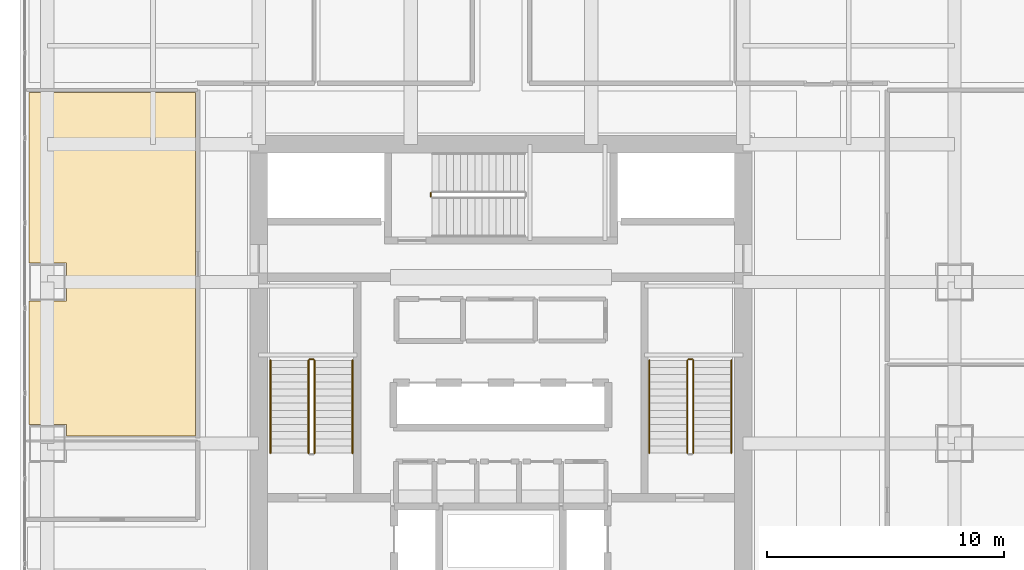
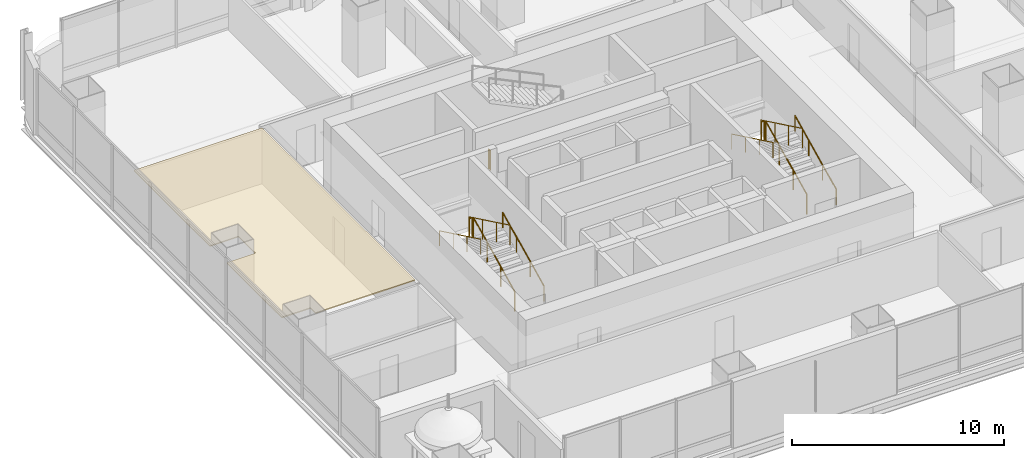
# One storey, part 32 of 37: 11 railings, 1 covering.
"""IFC4 building model written with IfcOpenShell, lengths in metres."""

from ifc_helpers import new_model, si_unit, direction, frame, origin, origin_2d, place, context, subcontext, project, spatial, polyline, circle, outline, extrude, material, layer, layer_set, type_object, element, save


model = new_model("IFC4")

# Units and contexts
model_context = context("Model", 3, precision=1e-05, world=origin(), true_north=direction((0.0, 1.0)))
body_context = subcontext(model_context, "Body", "Model", "MODEL_VIEW")
ifc_project = project(units=[si_unit("LENGTHUNIT", "METRE"), si_unit("AREAUNIT", "SQUARE_METRE"), si_unit("VOLUMEUNIT", "CUBIC_METRE"), si_unit("PLANEANGLEUNIT", "RADIAN"), si_unit("MASSUNIT", "GRAM", prefix="KILO")], contexts=[model_context])

# Site, building, storey
site_placement = place(None, origin())
site = spatial("IfcSite", under=ifc_project, at=site_placement, CompositionType="ELEMENT")
building_placement = place(site_placement, origin())
building = spatial("IfcBuilding", under=site, at=building_placement, Name="Punatoya Terracotta Tower", CompositionType="ELEMENT")
storey_placement = place(building_placement, frame((0.0, 0.0, 109.199951171875)))
storey = spatial("IfcBuildingStorey", under=building, at=storey_placement, Name="L25", CompositionType="ELEMENT", Elevation=109.199951171875)

# Covering
ifc_material_1 = material(Name="Acoustic Mineral Fibre Ceiling")
ifc_layer = layer(ifc_material_1, 0.06005859375)
ifc_layer_set = layer_set([ifc_layer], Name="Acoustic Mineral Fibre Ceiling")
covering_type = type_object("IfcCoveringType", Name="COV-CEIL-60", PredefinedType="CEILING", material=ifc_layer_set)
covering_placement = place(storey_placement, frame((0.0, 0.0, 3.199951171875)))
element("IfcCovering", 1, at=covering_placement, inside=storey, type_object=covering_type, Name="L25 Open-Plan Digital Reference Library Acoustic Ceiling", PredefinedType="CEILING", context=body_context, shape_type="SweptSolid", body=[
    extrude(outline(polyline([(-18.300048828125, 4.199951171875), (-18.300048828125, 2.60009765625), (-19.8701171875, 2.60009765625), (-19.8701171875, -2.60009765625), (-18.300048828125, -2.60009765625), (-18.300048828125, -3.073974609375), (-12.8701171875, -3.073974609375), (-12.8701171875, 11.389892578125), (-19.8701171875, 11.389892578125), (-19.8701171875, 4.199951171875), (-18.300048828125, 4.199951171875)])), origin(), (0.0, 0.0, 1.0), 0.06005859375),
])

# Railings
ifc_material_2 = material(Name="Steel S355", Category="steel")
railing_type_1 = type_object("IfcRailingType", Name="RLG-GRD-1150", PredefinedType="GUARDRAIL", material=ifc_material_2)
railing_1_placement = place(storey_placement, frame((-7.85009765625, -3.800048828125, 0.144775390625)))
element("IfcRailing", 2, at=railing_1_placement, inside=storey, type_object=railing_type_1, Name="L25 ST-1 stair guard 1", PredefinedType="GUARDRAIL", context=body_context, shape_type="SweptSolid", body=[
    extrude(circle(Radius=0.02392578125, at=origin_2d()), frame((0.0, 0.0, 1.1259765625), z_axis=(0.0, 0.900773802044, 0.434288564841), x_axis=(-1.0, 0.0, 0.0)), (0.0, 0.0, 1.0), 4.329833984375),
    extrude(circle(Radius=0.02099609375, at=origin_2d()), origin(), (0.0, 0.0, 1.0), 1.101806640625),
    extrude(circle(Radius=0.02099609375, at=origin_2d()), frame((0.0, 1.300048828125, 0.626708984375)), (0.0, 0.0, 1.0), 1.101806640625),
    extrude(circle(Radius=0.02099609375, at=origin_2d()), frame((0.0, 2.60009765625, 1.253662109375)), (0.0, 0.0, 1.0), 1.101806640625),
    extrude(circle(Radius=0.02099609375, at=origin_2d()), frame((0.0, 3.900146484375, 1.88037109375)), (0.0, 0.0, 1.0), 1.101806640625),
])
railing_2_placement = place(storey_placement, frame((-7.89990234375, 0.14990234375, 2.025146484375)))
element("IfcRailing", 3, at=railing_2_placement, inside=storey, type_object=railing_type_1, Name="L25 ST-1 stair guard 2", PredefinedType="GUARDRAIL", context=body_context, shape_type="SweptSolid", body=[
    extrude(circle(Radius=0.02392578125, at=origin_2d()), frame((0.0, 0.0, 1.1259765625), z_axis=(-1.0, 0.0, 0.0), x_axis=(0.0, -1.0, 0.0)), (0.0, 0.0, 1.0), 0.150146484375),
    extrude(circle(Radius=0.02099609375, at=origin_2d()), origin(), (0.0, 0.0, 1.0), 1.101806640625),
    extrude(circle(Radius=0.02099609375, at=origin_2d()), frame((-0.150146484375, 0.0, 0.0)), (0.0, 0.0, 1.0), 1.101806640625),
])
railing_3_placement = place(storey_placement, frame((-8.10009765625, 0.10009765625, 2.169677734375)))
element("IfcRailing", 4, at=railing_3_placement, inside=storey, type_object=railing_type_1, Name="L25 ST-1 stair guard 3", PredefinedType="GUARDRAIL", context=body_context, shape_type="SweptSolid", body=[
    extrude(circle(Radius=0.02392578125, at=origin_2d()), frame((0.0, 0.0, 1.1259765625), z_axis=(0.0, -0.900773802044, 0.434288564841), x_axis=(1.0, 0.0, 0.0)), (0.0, 0.0, 1.0), 4.329833984375),
    extrude(circle(Radius=0.02099609375, at=origin_2d()), origin(), (0.0, 0.0, 1.0), 1.101806640625),
    extrude(circle(Radius=0.02099609375, at=origin_2d()), frame((0.0, -1.300048828125, 0.626708984375)), (0.0, 0.0, 1.0), 1.101806640625),
    extrude(circle(Radius=0.02099609375, at=origin_2d()), frame((0.0, -2.60009765625, 1.253662109375)), (0.0, 0.0, 1.0), 1.101806640625),
    extrude(circle(Radius=0.02099609375, at=origin_2d()), frame((0.0, -3.900146484375, 1.88037109375)), (0.0, 0.0, 1.0), 1.101806640625),
])
railing_4_placement = place(storey_placement, frame((8.10009765625, -3.800048828125, 0.144775390625)))
element("IfcRailing", 5, at=railing_4_placement, inside=storey, type_object=railing_type_1, Name="L25 ST-2 stair guard 1", PredefinedType="GUARDRAIL", context=body_context, shape_type="SweptSolid", body=[
    extrude(circle(Radius=0.02392578125, at=origin_2d()), frame((0.0, 0.0, 1.1259765625), z_axis=(0.0, 0.900773802044, 0.434288564841), x_axis=(-1.0, 0.0, 0.0)), (0.0, 0.0, 1.0), 4.329833984375),
    extrude(circle(Radius=0.02099609375, at=origin_2d()), origin(), (0.0, 0.0, 1.0), 1.101806640625),
    extrude(circle(Radius=0.02099609375, at=origin_2d()), frame((0.0, 1.300048828125, 0.626708984375)), (0.0, 0.0, 1.0), 1.101806640625),
    extrude(circle(Radius=0.02099609375, at=origin_2d()), frame((0.0, 2.60009765625, 1.253662109375)), (0.0, 0.0, 1.0), 1.101806640625),
    extrude(circle(Radius=0.02099609375, at=origin_2d()), frame((0.0, 3.900146484375, 1.88037109375)), (0.0, 0.0, 1.0), 1.101806640625),
])
railing_5_placement = place(storey_placement, frame((8.050048828125, 0.14990234375, 2.025146484375)))
element("IfcRailing", 6, at=railing_5_placement, inside=storey, type_object=railing_type_1, Name="L25 ST-2 stair guard 2", PredefinedType="GUARDRAIL", context=body_context, shape_type="SweptSolid", body=[
    extrude(circle(Radius=0.02392578125, at=origin_2d()), frame((0.0, 0.0, 1.1259765625), z_axis=(-1.0, 0.0, 0.0), x_axis=(0.0, -1.0, 0.0)), (0.0, 0.0, 1.0), 0.150146484375),
    extrude(circle(Radius=0.02099609375, at=origin_2d()), origin(), (0.0, 0.0, 1.0), 1.101806640625),
    extrude(circle(Radius=0.02099609375, at=origin_2d()), frame((-0.150146484375, 0.0, 0.0)), (0.0, 0.0, 1.0), 1.101806640625),
])
railing_6_placement = place(storey_placement, frame((7.85009765625, 0.10009765625, 2.169677734375)))
element("IfcRailing", 7, at=railing_6_placement, inside=storey, type_object=railing_type_1, Name="L25 ST-2 stair guard 3", PredefinedType="GUARDRAIL", context=body_context, shape_type="SweptSolid", body=[
    extrude(circle(Radius=0.02392578125, at=origin_2d()), frame((0.0, 0.0, 1.1259765625), z_axis=(0.0, -0.900773802044, 0.434288564841), x_axis=(1.0, 0.0, 0.0)), (0.0, 0.0, 1.0), 4.329833984375),
    extrude(circle(Radius=0.02099609375, at=origin_2d()), origin(), (0.0, 0.0, 1.0), 1.101806640625),
    extrude(circle(Radius=0.02099609375, at=origin_2d()), frame((0.0, -1.300048828125, 0.626708984375)), (0.0, 0.0, 1.0), 1.101806640625),
    extrude(circle(Radius=0.02099609375, at=origin_2d()), frame((0.0, -2.60009765625, 1.253662109375)), (0.0, 0.0, 1.0), 1.101806640625),
    extrude(circle(Radius=0.02099609375, at=origin_2d()), frame((0.0, -3.900146484375, 1.88037109375)), (0.0, 0.0, 1.0), 1.101806640625),
])
railing_7_placement = place(storey_placement, frame((-2.949951171875, 7.0, 0.0)))
element("IfcRailing", 8, at=railing_7_placement, inside=storey, type_object=railing_type_1, Name="L25 ST-3 stair guard 4", PredefinedType="GUARDRAIL", context=body_context, shape_type="SweptSolid", body=[
    extrude(circle(Radius=0.02392578125, at=origin_2d()), frame((0.0, 0.0, 1.1259765625), z_axis=(0.0, 1.0, 0.0), x_axis=(-1.0, 0.0, 0.0)), (0.0, 0.0, 1.0), 0.14990234375),
    extrude(circle(Radius=0.02099609375, at=origin_2d()), origin(), (0.0, 0.0, 1.0), 1.101806640625),
    extrude(circle(Radius=0.02099609375, at=origin_2d()), frame((0.0, 0.14990234375, 0.0)), (0.0, 0.0, 1.0), 1.101806640625),
])
railing_type_2 = type_object("IfcRailingType", Name="RLG-HND-900", PredefinedType="HANDRAIL", material=ifc_material_2)
railing_8_placement = place(storey_placement, frame((-6.25, -3.800048828125, 0.144775390625)))
element("IfcRailing", 9, at=railing_8_placement, inside=storey, type_object=railing_type_2, Name="L25 ST-1 stair handrail 1", PredefinedType="HANDRAIL", context=body_context, shape_type="SweptSolid", body=[
    extrude(circle(Radius=0.02392578125, at=origin_2d()), frame((0.0, 0.0, 0.8759765625), z_axis=(0.0, 0.900773802044, 0.434288564841), x_axis=(-1.0, 0.0, 0.0)), (0.0, 0.0, 1.0), 4.329833984375),
    extrude(circle(Radius=0.02099609375, at=origin_2d()), origin(), (0.0, 0.0, 1.0), 0.851806640625),
    extrude(circle(Radius=0.02099609375, at=origin_2d()), frame((0.0, 1.300048828125, 0.626708984375)), (0.0, 0.0, 1.0), 0.851806640625),
    extrude(circle(Radius=0.02099609375, at=origin_2d()), frame((0.0, 2.60009765625, 1.253662109375)), (0.0, 0.0, 1.0), 0.851806640625),
    extrude(circle(Radius=0.02099609375, at=origin_2d()), frame((0.0, 3.900146484375, 1.88037109375)), (0.0, 0.0, 1.0), 0.851806640625),
])
railing_9_placement = place(storey_placement, frame((-9.699951171875, 0.10009765625, 2.169677734375)))
element("IfcRailing", 10, at=railing_9_placement, inside=storey, type_object=railing_type_2, Name="L25 ST-1 stair handrail 2", PredefinedType="HANDRAIL", context=body_context, shape_type="SweptSolid", body=[
    extrude(circle(Radius=0.02392578125, at=origin_2d()), frame((0.0, 0.0, 0.8759765625), z_axis=(0.0, -0.900773802044, 0.434288564841), x_axis=(1.0, 0.0, 0.0)), (0.0, 0.0, 1.0), 4.329833984375),
    extrude(circle(Radius=0.02099609375, at=origin_2d()), origin(), (0.0, 0.0, 1.0), 0.851806640625),
    extrude(circle(Radius=0.02099609375, at=origin_2d()), frame((0.0, -1.300048828125, 0.626708984375)), (0.0, 0.0, 1.0), 0.851806640625),
    extrude(circle(Radius=0.02099609375, at=origin_2d()), frame((0.0, -2.60009765625, 1.253662109375)), (0.0, 0.0, 1.0), 0.851806640625),
    extrude(circle(Radius=0.02099609375, at=origin_2d()), frame((0.0, -3.900146484375, 1.88037109375)), (0.0, 0.0, 1.0), 0.851806640625),
])
railing_10_placement = place(storey_placement, frame((9.699951171875, -3.800048828125, 0.144775390625)))
element("IfcRailing", 11, at=railing_10_placement, inside=storey, type_object=railing_type_2, Name="L25 ST-2 stair handrail 1", PredefinedType="HANDRAIL", context=body_context, shape_type="SweptSolid", body=[
    extrude(circle(Radius=0.02392578125, at=origin_2d()), frame((0.0, 0.0, 0.8759765625), z_axis=(0.0, 0.900773802044, 0.434288564841), x_axis=(-1.0, 0.0, 0.0)), (0.0, 0.0, 1.0), 4.329833984375),
    extrude(circle(Radius=0.02099609375, at=origin_2d()), origin(), (0.0, 0.0, 1.0), 0.851806640625),
    extrude(circle(Radius=0.02099609375, at=origin_2d()), frame((0.0, 1.300048828125, 0.626708984375)), (0.0, 0.0, 1.0), 0.851806640625),
    extrude(circle(Radius=0.02099609375, at=origin_2d()), frame((0.0, 2.60009765625, 1.253662109375)), (0.0, 0.0, 1.0), 0.851806640625),
    extrude(circle(Radius=0.02099609375, at=origin_2d()), frame((0.0, 3.900146484375, 1.88037109375)), (0.0, 0.0, 1.0), 0.851806640625),
])
railing_11_placement = place(storey_placement, frame((6.25, 0.10009765625, 2.169677734375)))
element("IfcRailing", 12, at=railing_11_placement, inside=storey, type_object=railing_type_2, Name="L25 ST-2 stair handrail 2", PredefinedType="HANDRAIL", context=body_context, shape_type="SweptSolid", body=[
    extrude(circle(Radius=0.02392578125, at=origin_2d()), frame((0.0, 0.0, 0.8759765625), z_axis=(0.0, -0.900773802044, 0.434288564841), x_axis=(1.0, 0.0, 0.0)), (0.0, 0.0, 1.0), 4.329833984375),
    extrude(circle(Radius=0.02099609375, at=origin_2d()), origin(), (0.0, 0.0, 1.0), 0.851806640625),
    extrude(circle(Radius=0.02099609375, at=origin_2d()), frame((0.0, -1.300048828125, 0.626708984375)), (0.0, 0.0, 1.0), 0.851806640625),
    extrude(circle(Radius=0.02099609375, at=origin_2d()), frame((0.0, -2.60009765625, 1.253662109375)), (0.0, 0.0, 1.0), 0.851806640625),
    extrude(circle(Radius=0.02099609375, at=origin_2d()), frame((0.0, -3.900146484375, 1.88037109375)), (0.0, 0.0, 1.0), 0.851806640625),
])

save(model, "model.ifc")
